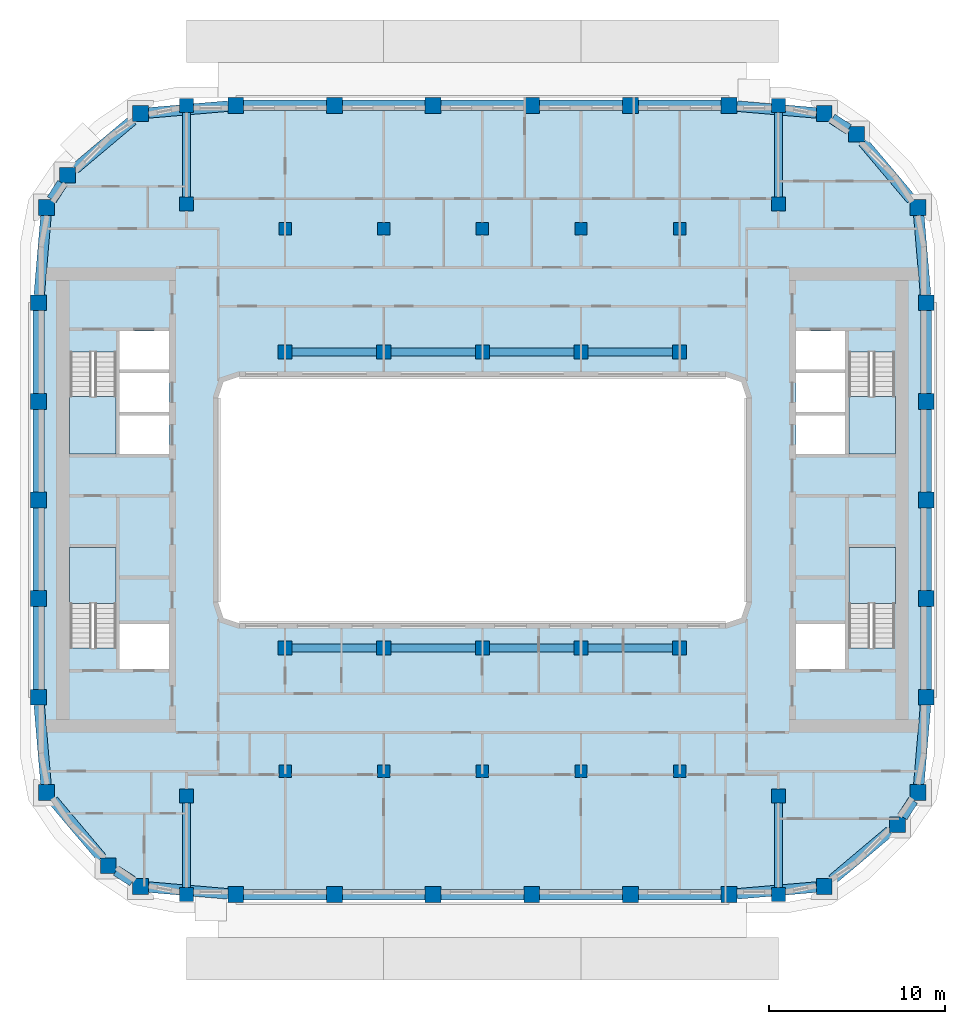
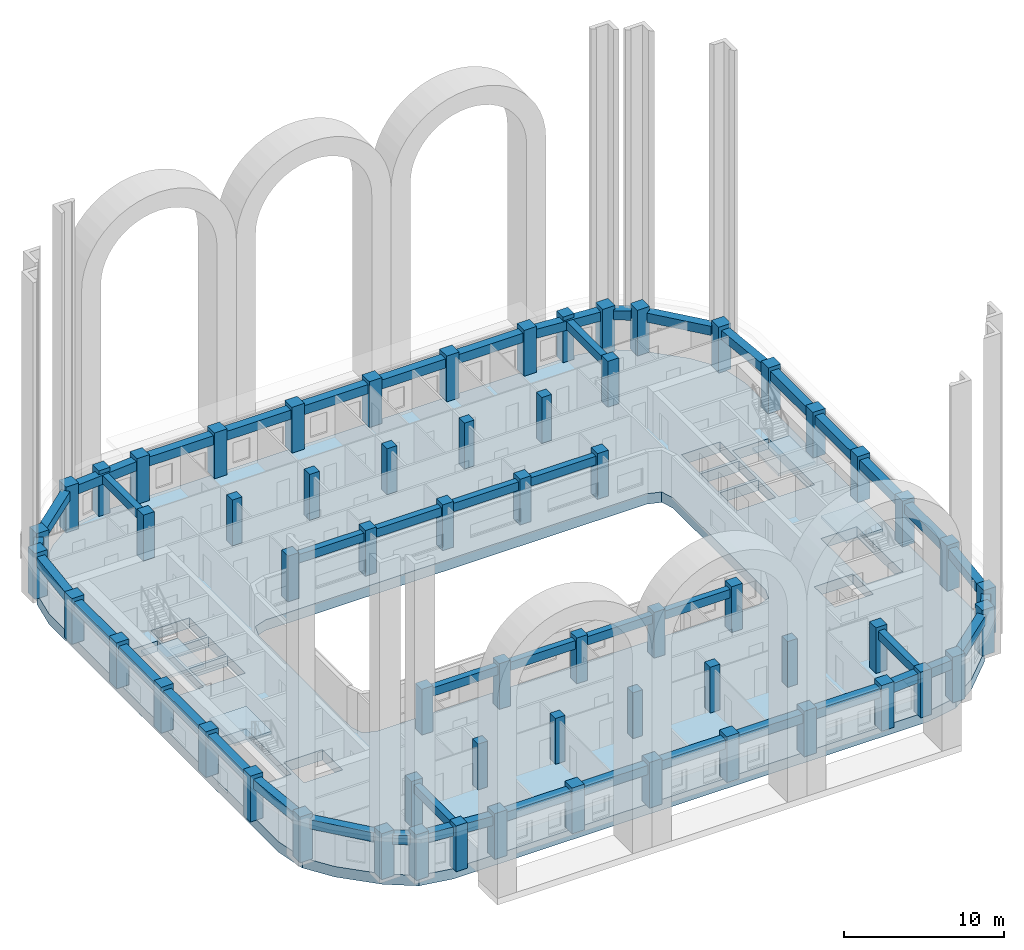
# One storey, part 1 of 20: 62 columns, 46 beams, 5 slabs, 4 elements without a shape of their own.
"""IFC4 building model written with IfcOpenShell, lengths in metres."""

from ifc_helpers import new_model, si_unit, direction, frame, origin, origin_2d, place, context, subcontext, project, spatial, polyline, rectangle, outline, extrude, material, layer, layer_set, material_profile, profile_set, type_object, element, aggregate, save


model = new_model("IFC4")

# Units and contexts
model_context = context("Model", 3, precision=1e-05, world=origin(), true_north=direction((0.0, 1.0)))
body_context = subcontext(model_context, "Body", "Model", "MODEL_VIEW")
ifc_project = project(units=[si_unit("LENGTHUNIT", "METRE"), si_unit("AREAUNIT", "SQUARE_METRE"), si_unit("VOLUMEUNIT", "CUBIC_METRE"), si_unit("PLANEANGLEUNIT", "RADIAN"), si_unit("MASSUNIT", "GRAM", prefix="KILO")], contexts=[model_context])

# Site, building, storey
site_placement = place(None, origin())
site = spatial("IfcSite", under=ifc_project, at=site_placement, CompositionType="ELEMENT")
building_placement = place(site_placement, origin())
building = spatial("IfcBuilding", under=site, at=building_placement, Name="Kiln Ring Residences", CompositionType="ELEMENT")
storey_placement = place(building_placement, frame((0.0, 0.0, 188.89990234375)))
storey = spatial("IfcBuildingStorey", under=building, at=storey_placement, Name="L48", CompositionType="ELEMENT", Elevation=188.89990234375)

# Columns
ifc_material_1 = material(Name="Concrete C70/85", Category="concrete")
ifc_material_profile_1 = material_profile(ifc_material_1, rectangle(XDim=0.699951171875, YDim=0.699951171875, at=origin_2d()), Name="RC700x700")
ifc_profile_set_1 = profile_set([ifc_material_profile_1], Name="Concrete C70/85")
column_type_1 = type_object("IfcColumnType", Name="Corridor column RC700x700 C70/85", PredefinedType="COLUMN", material=ifc_profile_set_1)
for number, where, z_axis, x_axis, name in (
    (1, (-11.199951171875, 15.39990234375, 0.0), (0.0, 0.0, 1.0), (1.0, 0.0, 0.0), "Corridor column L48 1"),
    (2, (-5.60009765625, 15.39990234375, 0.0), (0.0, 0.0, 1.0), (1.0, 0.0, 0.0), "Corridor column L48 2"),
    (3, (0.0, 15.39990234375, 0.0), (0.0, 0.0, 1.0), (1.0, 0.0, 0.0), "Corridor column L48 3"),
    (4, (5.60009765625, 15.39990234375, 0.0), (0.0, 0.0, 1.0), (1.0, 0.0, 0.0), "Corridor column L48 4"),
    (5, (11.199951171875, 15.39990234375, 0.0), (0.0, 0.0, 1.0), (1.0, 0.0, 0.0), "Corridor column L48 5"),
    (6, (-11.199951171875, -15.39990234375, 0.0), (0.0, 0.0, 1.0), (1.0, 0.0, 0.0), "Corridor column L48 6"),
    (7, (-5.60009765625, -15.39990234375, 0.0), (0.0, 0.0, 1.0), (1.0, 0.0, 0.0), "Corridor column L48 7"),
    (8, (0.0, -15.39990234375, 0.0), (0.0, 0.0, 1.0), (1.0, 0.0, 0.0), "Corridor column L48 8"),
    (9, (5.60009765625, -15.39990234375, 0.0), (0.0, 0.0, 1.0), (1.0, 0.0, 0.0), "Corridor column L48 9"),
    (10, (11.199951171875, -15.39990234375, 0.0), (0.0, 0.0, 1.0), (1.0, 0.0, 0.0), "Corridor column L48 10"),
):
    element("IfcColumn", number, at=place(storey_placement, frame(where, z_axis=z_axis, x_axis=x_axis)), inside=storey, type_object=column_type_1, Name=name, PredefinedType="COLUMN", context=body_context, shape_type="SweptSolid", body=[
        extrude(rectangle(XDim=0.699951171875, YDim=0.699951171875, at=origin_2d()), origin(), (0.0, 0.0, 1.0), 3.5),
    ])
ifc_material_2 = material(Name="Concrete C70/85", Category="concrete")
ifc_material_profile_2 = material_profile(ifc_material_2, rectangle(XDim=0.89990234375, YDim=0.89990234375, at=origin_2d()), Name="RC900x900")
ifc_profile_set_2 = profile_set([ifc_material_profile_2], Name="Concrete C70/85")
column_type_2 = type_object("IfcColumnType", Name="Perimeter column RC900x900 C70/85", PredefinedType="COLUMN", material=ifc_profile_set_2)
for number, where, z_axis, x_axis, name in (
    (11, (-19.40869140625, -21.93798828125, 0.0), (0.0, 0.0, 1.0), (1.0, 0.0, 0.0), "Perimeter column L48 1"),
    (12, (-14.0, -22.39990234375, 0.0), (0.0, 0.0, 1.0), (1.0, 0.0, 0.0), "Perimeter column L48 2"),
    (13, (-8.39990234375, -22.39990234375, 0.0), (0.0, 0.0, 1.0), (1.0, 0.0, 0.0), "Perimeter column L48 3"),
    (14, (-2.800048828125, -22.39990234375, 0.0), (0.0, 0.0, 1.0), (1.0, 0.0, 0.0), "Perimeter column L48 4"),
    (15, (2.800048828125, -22.39990234375, 0.0), (0.0, 0.0, 1.0), (1.0, 0.0, 0.0), "Perimeter column L48 5"),
    (16, (8.39990234375, -22.39990234375, 0.0), (0.0, 0.0, 1.0), (1.0, 0.0, 0.0), "Perimeter column L48 6"),
    (17, (14.0, -22.39990234375, 0.0), (0.0, 0.0, 1.0), (1.0, 0.0, 0.0), "Perimeter column L48 7"),
    (18, (19.40869140625, -21.93798828125, 0.0), (0.0, 0.0, 1.0), (1.0, 0.0, 0.0), "Perimeter column L48 8"),
    (19, (23.559814453125, -18.440185546875, 0.0), (0.0, 0.0, 1.0), (1.0, 0.0, 0.0), "Perimeter column L48 9"),
    (20, (24.738037109375, -16.608642578125, 0.0), (0.0, 0.0, 1.0), (1.0, 0.0, 0.0), "Perimeter column L48 10"),
    (21, (25.199951171875, -11.199951171875, 0.0), (0.0, 0.0, 1.0), (1.0, 0.0, 0.0), "Perimeter column L48 11"),
    (22, (25.199951171875, -5.60009765625, 0.0), (0.0, 0.0, 1.0), (1.0, 0.0, 0.0), "Perimeter column L48 12"),
    (23, (25.199951171875, 0.0, 0.0), (0.0, 0.0, 1.0), (1.0, 0.0, 0.0), "Perimeter column L48 13"),
    (24, (25.199951171875, 5.60009765625, 0.0), (0.0, 0.0, 1.0), (1.0, 0.0, 0.0), "Perimeter column L48 14"),
    (25, (25.199951171875, 11.199951171875, 0.0), (0.0, 0.0, 1.0), (1.0, 0.0, 0.0), "Perimeter column L48 15"),
    (26, (24.738037109375, 16.608642578125, 0.0), (0.0, 0.0, 1.0), (1.0, 0.0, 0.0), "Perimeter column L48 16"),
    (27, (21.240234375, 20.759765625, 0.0), (0.0, 0.0, 1.0), (1.0, 0.0, 0.0), "Perimeter column L48 17"),
    (28, (19.40869140625, 21.93798828125, 0.0), (0.0, 0.0, 1.0), (1.0, 0.0, 0.0), "Perimeter column L48 18"),
    (29, (14.0, 22.39990234375, 0.0), (0.0, 0.0, 1.0), (1.0, 0.0, 0.0), "Perimeter column L48 19"),
    (30, (8.39990234375, 22.39990234375, 0.0), (0.0, 0.0, 1.0), (1.0, 0.0, 0.0), "Perimeter column L48 20"),
    (31, (2.800048828125, 22.39990234375, 0.0), (0.0, 0.0, 1.0), (1.0, 0.0, 0.0), "Perimeter column L48 21"),
    (32, (-2.800048828125, 22.39990234375, 0.0), (0.0, 0.0, 1.0), (1.0, 0.0, 0.0), "Perimeter column L48 22"),
    (33, (-8.39990234375, 22.39990234375, 0.0), (0.0, 0.0, 1.0), (1.0, 0.0, 0.0), "Perimeter column L48 23"),
    (34, (-14.0, 22.39990234375, 0.0), (0.0, 0.0, 1.0), (1.0, 0.0, 0.0), "Perimeter column L48 24"),
    (35, (-19.40869140625, 21.93798828125, 0.0), (0.0, 0.0, 1.0), (1.0, 0.0, 0.0), "Perimeter column L48 25"),
    (36, (-23.559814453125, 18.440185546875, 0.0), (0.0, 0.0, 1.0), (1.0, 0.0, 0.0), "Perimeter column L48 26"),
    (37, (-24.738037109375, 16.608642578125, 0.0), (0.0, 0.0, 1.0), (1.0, 0.0, 0.0), "Perimeter column L48 27"),
    (38, (-25.199951171875, 11.199951171875, 0.0), (0.0, 0.0, 1.0), (1.0, 0.0, 0.0), "Perimeter column L48 28"),
    (39, (-25.199951171875, 5.60009765625, 0.0), (0.0, 0.0, 1.0), (1.0, 0.0, 0.0), "Perimeter column L48 29"),
    (40, (-25.199951171875, 0.0, 0.0), (0.0, 0.0, 1.0), (1.0, 0.0, 0.0), "Perimeter column L48 30"),
    (41, (-25.199951171875, -5.60009765625, 0.0), (0.0, 0.0, 1.0), (1.0, 0.0, 0.0), "Perimeter column L48 31"),
    (42, (-25.199951171875, -11.199951171875, 0.0), (0.0, 0.0, 1.0), (1.0, 0.0, 0.0), "Perimeter column L48 32"),
    (43, (-24.738037109375, -16.608642578125, 0.0), (0.0, 0.0, 1.0), (1.0, 0.0, 0.0), "Perimeter column L48 33"),
    (44, (-21.240234375, -20.759765625, 0.0), (0.0, 0.0, 1.0), (1.0, 0.0, 0.0), "Perimeter column L48 34"),
):
    element("IfcColumn", number, at=place(storey_placement, frame(where, z_axis=z_axis, x_axis=x_axis)), inside=storey, type_object=column_type_2, Name=name, PredefinedType="COLUMN", context=body_context, shape_type="SweptSolid", body=[
        extrude(rectangle(XDim=0.89990234375, YDim=0.89990234375, at=origin_2d()), origin(), (0.0, 0.0, 1.0), 3.5),
    ])
ifc_material_3 = material(Name="Concrete C70/85", Category="concrete")
ifc_material_profile_3 = material_profile(ifc_material_3, rectangle(XDim=0.800048828125, YDim=0.800048828125, at=origin_2d()), Name="RC800x800")
ifc_profile_set_3 = profile_set([ifc_material_profile_3], Name="Concrete C70/85")
column_type_3 = type_object("IfcColumnType", Name="Ring column RC800x800 C70/85", PredefinedType="COLUMN", material=ifc_profile_set_3)
for number, where, z_axis, x_axis, name in (
    (45, (-16.800048828125, -22.39990234375, 0.0), (0.0, 0.0, 1.0), (1.0, 0.0, 0.0), "Ring column L48 1"),
    (46, (-16.800048828125, -16.800048828125, 0.0), (0.0, 0.0, 1.0), (1.0, 0.0, 0.0), "Ring column L48 2"),
    (47, (-16.800048828125, 16.800048828125, 0.0), (0.0, 0.0, 1.0), (1.0, 0.0, 0.0), "Ring column L48 3"),
    (48, (-16.800048828125, 22.39990234375, 0.0), (0.0, 0.0, 1.0), (1.0, 0.0, 0.0), "Ring column L48 4"),
    (49, (-11.199951171875, -8.39990234375, 0.0), (0.0, 0.0, 1.0), (1.0, 0.0, 0.0), "Ring column L48 5"),
    (50, (-11.199951171875, 8.39990234375, 0.0), (0.0, 0.0, 1.0), (1.0, 0.0, 0.0), "Ring column L48 6"),
    (51, (-5.60009765625, -8.39990234375, 0.0), (0.0, 0.0, 1.0), (1.0, 0.0, 0.0), "Ring column L48 7"),
    (52, (-5.60009765625, 8.39990234375, 0.0), (0.0, 0.0, 1.0), (1.0, 0.0, 0.0), "Ring column L48 8"),
    (53, (0.0, -8.39990234375, 0.0), (0.0, 0.0, 1.0), (1.0, 0.0, 0.0), "Ring column L48 9"),
    (54, (0.0, 8.39990234375, 0.0), (0.0, 0.0, 1.0), (1.0, 0.0, 0.0), "Ring column L48 10"),
    (55, (5.60009765625, -8.39990234375, 0.0), (0.0, 0.0, 1.0), (1.0, 0.0, 0.0), "Ring column L48 11"),
    (56, (5.60009765625, 8.39990234375, 0.0), (0.0, 0.0, 1.0), (1.0, 0.0, 0.0), "Ring column L48 12"),
    (57, (11.199951171875, -8.39990234375, 0.0), (0.0, 0.0, 1.0), (1.0, 0.0, 0.0), "Ring column L48 13"),
    (58, (11.199951171875, 8.39990234375, 0.0), (0.0, 0.0, 1.0), (1.0, 0.0, 0.0), "Ring column L48 14"),
    (59, (16.800048828125, -22.39990234375, 0.0), (0.0, 0.0, 1.0), (1.0, 0.0, 0.0), "Ring column L48 15"),
    (60, (16.800048828125, -16.800048828125, 0.0), (0.0, 0.0, 1.0), (1.0, 0.0, 0.0), "Ring column L48 16"),
    (61, (16.800048828125, 16.800048828125, 0.0), (0.0, 0.0, 1.0), (1.0, 0.0, 0.0), "Ring column L48 17"),
    (62, (16.800048828125, 22.39990234375, 0.0), (0.0, 0.0, 1.0), (1.0, 0.0, 0.0), "Ring column L48 18"),
):
    element("IfcColumn", number, at=place(storey_placement, frame(where, z_axis=z_axis, x_axis=x_axis)), inside=storey, type_object=column_type_3, Name=name, PredefinedType="COLUMN", context=body_context, shape_type="SweptSolid", body=[
        extrude(rectangle(XDim=0.800048828125, YDim=0.800048828125, at=origin_2d()), origin(), (0.0, 0.0, 1.0), 3.5),
    ])

# Beams
ifc_material_4 = material(Name="Concrete C50/60", Category="concrete")
ifc_material_profile_4 = material_profile(ifc_material_4, rectangle(XDim=0.449951171875, YDim=0.64990234375, at=origin_2d()), Name="RC450x650")
ifc_profile_set_4 = profile_set([ifc_material_profile_4], Name="Concrete C50/60")
beam_type_1 = type_object("IfcBeamType", Name="Ring beam RC450x650 C50/60", PredefinedType="BEAM", material=ifc_profile_set_4)
for number, where, z_axis, x_axis, name in (
    (63, (-10.800048828125, -8.39990234375, 2.875), (1.0, 0.0, 0.0), (0.0, 1.0, 0.0), "Ring beam L48 1"),
    (64, (-5.199951171875, -8.39990234375, 2.875), (1.0, 0.0, 0.0), (0.0, 1.0, 0.0), "Ring beam L48 2"),
    (65, (0.39990234375, -8.39990234375, 2.875), (1.0, 0.0, 0.0), (0.0, 1.0, 0.0), "Ring beam L48 3"),
    (66, (6.0, -8.39990234375, 2.875), (1.0, 0.0, 0.0), (0.0, 1.0, 0.0), "Ring beam L48 4"),
    (67, (-10.800048828125, 8.39990234375, 2.875), (1.0, 0.0, 0.0), (0.0, 1.0, 0.0), "Ring beam L48 5"),
    (68, (-5.199951171875, 8.39990234375, 2.875), (1.0, 0.0, 0.0), (0.0, 1.0, 0.0), "Ring beam L48 6"),
    (69, (0.39990234375, 8.39990234375, 2.875), (1.0, 0.0, 0.0), (0.0, 1.0, 0.0), "Ring beam L48 7"),
    (70, (6.0, 8.39990234375, 2.875), (1.0, 0.0, 0.0), (0.0, 1.0, 0.0), "Ring beam L48 8"),
    (71, (-16.800048828125, -17.199951171875, 2.875), (0.0, -1.0, 0.0), (1.0, 0.0, 0.0), "Ring beam L48 9"),
    (72, (-16.800048828125, 17.199951171875, 2.875), (0.0, 1.0, 0.0), (-1.0, 0.0, 0.0), "Ring beam L48 10"),
    (73, (16.800048828125, -17.199951171875, 2.875), (0.0, -1.0, 0.0), (1.0, 0.0, 0.0), "Ring beam L48 11"),
    (74, (16.800048828125, 17.199951171875, 2.875), (0.0, 1.0, 0.0), (-1.0, 0.0, 0.0), "Ring beam L48 12"),
):
    element("IfcBeam", number, at=place(storey_placement, frame(where, z_axis=z_axis, x_axis=x_axis)), inside=storey, type_object=beam_type_1, Name=name, PredefinedType="BEAM", context=body_context, shape_type="SweptSolid", body=[
        extrude(rectangle(XDim=0.449951171875, YDim=0.64990234375, at=origin_2d()), origin(), (0.0, 0.0, 1.0), 4.800048828125),
    ])
ifc_material_5 = material(Name="Concrete C50/60", Category="concrete")
ifc_material_profile_5 = material_profile(ifc_material_5, rectangle(XDim=0.60009765625, YDim=0.699951171875, at=origin_2d()), Name="RC600x700")
ifc_profile_set_5 = profile_set([ifc_material_profile_5], Name="Concrete C50/60")
beam_type_2 = type_object("IfcBeamType", Name="Spandrel beam RC600x700 C50/60", PredefinedType="SPANDREL", material=ifc_profile_set_5)
beam_1_placement = place(storey_placement, frame((-18.958740234375, -21.9765625, 2.85009765625), z_axis=(0.996374010608, -0.085081319836, 0.0), x_axis=(0.085081319836, 0.996374010608, 0.0)))
element("IfcBeam", 75, at=beam_1_placement, inside=storey, type_object=beam_type_2, Name="Spandrel beam L48 1", PredefinedType="SPANDREL", context=body_context, shape_type="SweptSolid", body=[
    extrude(rectangle(XDim=0.60009765625, YDim=0.699951171875, at=origin_2d()), origin(), (0.0, 0.0, 1.0), 4.525146484375),
])
for number, where, z_axis, x_axis, name in (
    (76, (-13.550048828125, -22.39990234375, 2.85009765625), (1.0, 0.0, 0.0), (0.0, 1.0, 0.0), "Spandrel beam L48 2"),
    (77, (-7.949951171875, -22.39990234375, 2.85009765625), (1.0, 0.0, 0.0), (0.0, 1.0, 0.0), "Spandrel beam L48 3"),
):
    element("IfcBeam", number, at=place(storey_placement, frame(where, z_axis=z_axis, x_axis=x_axis)), inside=storey, type_object=beam_type_2, Name=name, PredefinedType="SPANDREL", context=body_context, shape_type="SweptSolid", body=[
        extrude(rectangle(XDim=0.60009765625, YDim=0.699951171875, at=origin_2d()), origin(), (0.0, 0.0, 1.0), 4.699951171875),
    ])
beam_2_placement = place(storey_placement, frame((-2.35009765625, -22.39990234375, 2.85009765625), z_axis=(1.0, 0.0, 0.0), x_axis=(0.0, 1.0, 0.0)))
element("IfcBeam", 78, at=beam_2_placement, inside=storey, type_object=beam_type_2, Name="Spandrel beam L48 4", PredefinedType="SPANDREL", context=body_context, shape_type="SweptSolid", body=[
    extrude(rectangle(XDim=0.60009765625, YDim=0.699951171875, at=origin_2d()), origin(), (0.0, 0.0, 1.0), 4.7001953125),
])
for number, where, z_axis, x_axis, name in (
    (79, (3.25, -22.39990234375, 2.85009765625), (1.0, 0.0, 0.0), (0.0, 1.0, 0.0), "Spandrel beam L48 5"),
    (80, (8.85009765625, -22.39990234375, 2.85009765625), (1.0, 0.0, 0.0), (0.0, 1.0, 0.0), "Spandrel beam L48 6"),
):
    element("IfcBeam", number, at=place(storey_placement, frame(where, z_axis=z_axis, x_axis=x_axis)), inside=storey, type_object=beam_type_2, Name=name, PredefinedType="SPANDREL", context=body_context, shape_type="SweptSolid", body=[
        extrude(rectangle(XDim=0.60009765625, YDim=0.699951171875, at=origin_2d()), origin(), (0.0, 0.0, 1.0), 4.699951171875),
    ])
beam_3_placement = place(storey_placement, frame((14.449951171875, -22.361572265625, 2.85009765625), z_axis=(0.996374010608, 0.085081319836, 0.0), x_axis=(-0.085081319836, 0.996374010608, 0.0)))
element("IfcBeam", 81, at=beam_3_placement, inside=storey, type_object=beam_type_2, Name="Spandrel beam L48 7", PredefinedType="SPANDREL", context=body_context, shape_type="SweptSolid", body=[
    extrude(rectangle(XDim=0.60009765625, YDim=0.699951171875, at=origin_2d()), origin(), (0.0, 0.0, 1.0), 4.525146484375),
])
beam_4_placement = place(storey_placement, frame((19.858642578125, -21.558837890625, 2.85009765625), z_axis=(0.764722045893, 0.644360297136, 0.0), x_axis=(-0.644360297136, 0.764722045893, 0.0)))
element("IfcBeam", 82, at=beam_4_placement, inside=storey, type_object=beam_type_2, Name="Spandrel beam L48 8", PredefinedType="SPANDREL", context=body_context, shape_type="SweptSolid", body=[
    extrude(rectangle(XDim=0.60009765625, YDim=0.699951171875, at=origin_2d()), origin(), (0.0, 0.0, 1.0), 4.25146484375),
])
beam_5_placement = place(storey_placement, frame((23.849365234375, -17.990234375, 2.85009765625), z_axis=(0.540891264019, 0.841092527911, 0.0), x_axis=(-0.841092527911, 0.540891264019, 0.0)))
element("IfcBeam", 83, at=beam_5_placement, inside=storey, type_object=beam_type_2, Name="Spandrel beam L48 9", PredefinedType="SPANDREL", context=body_context, shape_type="SweptSolid", body=[
    extrude(rectangle(XDim=0.60009765625, YDim=0.699951171875, at=origin_2d()), origin(), (0.0, 0.0, 1.0), 1.107666015625),
])
beam_6_placement = place(storey_placement, frame((24.776611328125, -16.15869140625, 2.85009765625), z_axis=(0.085081319836, 0.996374010608, 0.0), x_axis=(-0.996374010608, 0.085081319836, 0.0)))
element("IfcBeam", 84, at=beam_6_placement, inside=storey, type_object=beam_type_2, Name="Spandrel beam L48 10", PredefinedType="SPANDREL", context=body_context, shape_type="SweptSolid", body=[
    extrude(rectangle(XDim=0.60009765625, YDim=0.699951171875, at=origin_2d()), origin(), (0.0, 0.0, 1.0), 4.525146484375),
])
for number, where, z_axis, x_axis, name in (
    (85, (25.199951171875, -10.75, 2.85009765625), (0.0, 1.0, 0.0), (-1.0, 0.0, 0.0), "Spandrel beam L48 11"),
    (86, (25.199951171875, -5.14990234375, 2.85009765625), (0.0, 1.0, 0.0), (-1.0, 0.0, 0.0), "Spandrel beam L48 12"),
    (87, (25.199951171875, 0.449951171875, 2.85009765625), (0.0, 1.0, 0.0), (-1.0, 0.0, 0.0), "Spandrel beam L48 13"),
    (88, (25.199951171875, 6.050048828125, 2.85009765625), (0.0, 1.0, 0.0), (-1.0, 0.0, 0.0), "Spandrel beam L48 14"),
):
    element("IfcBeam", number, at=place(storey_placement, frame(where, z_axis=z_axis, x_axis=x_axis)), inside=storey, type_object=beam_type_2, Name=name, PredefinedType="SPANDREL", context=body_context, shape_type="SweptSolid", body=[
        extrude(rectangle(XDim=0.60009765625, YDim=0.699951171875, at=origin_2d()), origin(), (0.0, 0.0, 1.0), 4.699951171875),
    ])
beam_7_placement = place(storey_placement, frame((25.16162109375, 11.64990234375, 2.85009765625), z_axis=(-0.085081319836, 0.996374010608, 0.0), x_axis=(-0.996374010608, -0.085081319836, 0.0)))
element("IfcBeam", 89, at=beam_7_placement, inside=storey, type_object=beam_type_2, Name="Spandrel beam L48 15", PredefinedType="SPANDREL", context=body_context, shape_type="SweptSolid", body=[
    extrude(rectangle(XDim=0.60009765625, YDim=0.699951171875, at=origin_2d()), origin(), (0.0, 0.0, 1.0), 4.525146484375),
])
beam_8_placement = place(storey_placement, frame((24.35888671875, 17.05859375, 2.85009765625), z_axis=(-0.644360297136, 0.764722045893, 0.0), x_axis=(-0.764722045893, -0.644360297136, 0.0)))
element("IfcBeam", 90, at=beam_8_placement, inside=storey, type_object=beam_type_2, Name="Spandrel beam L48 16", PredefinedType="SPANDREL", context=body_context, shape_type="SweptSolid", body=[
    extrude(rectangle(XDim=0.60009765625, YDim=0.699951171875, at=origin_2d()), origin(), (0.0, 0.0, 1.0), 4.25146484375),
])
beam_9_placement = place(storey_placement, frame((20.790283203125, 21.04931640625, 2.85009765625), z_axis=(-0.840992251229, 0.541047163723, 0.0), x_axis=(-0.541047163723, -0.840992251229, 0.0)))
element("IfcBeam", 91, at=beam_9_placement, inside=storey, type_object=beam_type_2, Name="Spandrel beam L48 17", PredefinedType="SPANDREL", context=body_context, shape_type="SweptSolid", body=[
    extrude(rectangle(XDim=0.60009765625, YDim=0.699951171875, at=origin_2d()), origin(), (0.0, 0.0, 1.0), 1.107666015625),
])
beam_10_placement = place(storey_placement, frame((18.958740234375, 21.9765625, 2.85009765625), z_axis=(-0.996374010608, 0.085081319836, 0.0), x_axis=(-0.085081319836, -0.996374010608, 0.0)))
element("IfcBeam", 92, at=beam_10_placement, inside=storey, type_object=beam_type_2, Name="Spandrel beam L48 18", PredefinedType="SPANDREL", context=body_context, shape_type="SweptSolid", body=[
    extrude(rectangle(XDim=0.60009765625, YDim=0.699951171875, at=origin_2d()), origin(), (0.0, 0.0, 1.0), 4.525146484375),
])
for number, where, z_axis, x_axis, name in (
    (93, (13.550048828125, 22.39990234375, 2.85009765625), (-1.0, 0.0, 0.0), (0.0, -1.0, 0.0), "Spandrel beam L48 19"),
    (94, (7.949951171875, 22.39990234375, 2.85009765625), (-1.0, 0.0, 0.0), (0.0, -1.0, 0.0), "Spandrel beam L48 20"),
):
    element("IfcBeam", number, at=place(storey_placement, frame(where, z_axis=z_axis, x_axis=x_axis)), inside=storey, type_object=beam_type_2, Name=name, PredefinedType="SPANDREL", context=body_context, shape_type="SweptSolid", body=[
        extrude(rectangle(XDim=0.60009765625, YDim=0.699951171875, at=origin_2d()), origin(), (0.0, 0.0, 1.0), 4.699951171875),
    ])
beam_11_placement = place(storey_placement, frame((2.35009765625, 22.39990234375, 2.85009765625), z_axis=(-1.0, 0.0, 0.0), x_axis=(0.0, -1.0, 0.0)))
element("IfcBeam", 95, at=beam_11_placement, inside=storey, type_object=beam_type_2, Name="Spandrel beam L48 21", PredefinedType="SPANDREL", context=body_context, shape_type="SweptSolid", body=[
    extrude(rectangle(XDim=0.60009765625, YDim=0.699951171875, at=origin_2d()), origin(), (0.0, 0.0, 1.0), 4.7001953125),
])
for number, where, z_axis, x_axis, name in (
    (96, (-3.25, 22.39990234375, 2.85009765625), (-1.0, 0.0, 0.0), (0.0, -1.0, 0.0), "Spandrel beam L48 22"),
    (97, (-8.85009765625, 22.39990234375, 2.85009765625), (-1.0, 0.0, 0.0), (0.0, -1.0, 0.0), "Spandrel beam L48 23"),
):
    element("IfcBeam", number, at=place(storey_placement, frame(where, z_axis=z_axis, x_axis=x_axis)), inside=storey, type_object=beam_type_2, Name=name, PredefinedType="SPANDREL", context=body_context, shape_type="SweptSolid", body=[
        extrude(rectangle(XDim=0.60009765625, YDim=0.699951171875, at=origin_2d()), origin(), (0.0, 0.0, 1.0), 4.699951171875),
    ])
beam_12_placement = place(storey_placement, frame((-14.449951171875, 22.361572265625, 2.85009765625), z_axis=(-0.996374010608, -0.085081319836, 0.0), x_axis=(0.085081319836, -0.996374010608, 0.0)))
element("IfcBeam", 98, at=beam_12_placement, inside=storey, type_object=beam_type_2, Name="Spandrel beam L48 24", PredefinedType="SPANDREL", context=body_context, shape_type="SweptSolid", body=[
    extrude(rectangle(XDim=0.60009765625, YDim=0.699951171875, at=origin_2d()), origin(), (0.0, 0.0, 1.0), 4.525146484375),
])
beam_13_placement = place(storey_placement, frame((-19.858642578125, 21.558837890625, 2.85009765625), z_axis=(-0.764722045893, -0.644360297136, 0.0), x_axis=(0.644360297136, -0.764722045893, 0.0)))
element("IfcBeam", 99, at=beam_13_placement, inside=storey, type_object=beam_type_2, Name="Spandrel beam L48 25", PredefinedType="SPANDREL", context=body_context, shape_type="SweptSolid", body=[
    extrude(rectangle(XDim=0.60009765625, YDim=0.699951171875, at=origin_2d()), origin(), (0.0, 0.0, 1.0), 4.25146484375),
])
beam_14_placement = place(storey_placement, frame((-23.849365234375, 17.990234375, 2.85009765625), z_axis=(-0.540891264019, -0.841092527911, 0.0), x_axis=(0.841092527911, -0.540891264019, 0.0)))
element("IfcBeam", 100, at=beam_14_placement, inside=storey, type_object=beam_type_2, Name="Spandrel beam L48 26", PredefinedType="SPANDREL", context=body_context, shape_type="SweptSolid", body=[
    extrude(rectangle(XDim=0.60009765625, YDim=0.699951171875, at=origin_2d()), origin(), (0.0, 0.0, 1.0), 1.107666015625),
])
beam_15_placement = place(storey_placement, frame((-24.776611328125, 16.15869140625, 2.85009765625), z_axis=(-0.085081319836, -0.996374010608, 0.0), x_axis=(0.996374010608, -0.085081319836, 0.0)))
element("IfcBeam", 101, at=beam_15_placement, inside=storey, type_object=beam_type_2, Name="Spandrel beam L48 27", PredefinedType="SPANDREL", context=body_context, shape_type="SweptSolid", body=[
    extrude(rectangle(XDim=0.60009765625, YDim=0.699951171875, at=origin_2d()), origin(), (0.0, 0.0, 1.0), 4.525146484375),
])
for number, where, z_axis, x_axis, name in (
    (102, (-25.199951171875, 10.75, 2.85009765625), (0.0, -1.0, 0.0), (1.0, 0.0, 0.0), "Spandrel beam L48 28"),
    (103, (-25.199951171875, 5.14990234375, 2.85009765625), (0.0, -1.0, 0.0), (1.0, 0.0, 0.0), "Spandrel beam L48 29"),
    (104, (-25.199951171875, -0.449951171875, 2.85009765625), (0.0, -1.0, 0.0), (1.0, 0.0, 0.0), "Spandrel beam L48 30"),
    (105, (-25.199951171875, -6.050048828125, 2.85009765625), (0.0, -1.0, 0.0), (1.0, 0.0, 0.0), "Spandrel beam L48 31"),
):
    element("IfcBeam", number, at=place(storey_placement, frame(where, z_axis=z_axis, x_axis=x_axis)), inside=storey, type_object=beam_type_2, Name=name, PredefinedType="SPANDREL", context=body_context, shape_type="SweptSolid", body=[
        extrude(rectangle(XDim=0.60009765625, YDim=0.699951171875, at=origin_2d()), origin(), (0.0, 0.0, 1.0), 4.699951171875),
    ])
beam_16_placement = place(storey_placement, frame((-25.16162109375, -11.64990234375, 2.85009765625), z_axis=(0.085081319836, -0.996374010608, 0.0), x_axis=(0.996374010608, 0.085081319836, 0.0)))
element("IfcBeam", 106, at=beam_16_placement, inside=storey, type_object=beam_type_2, Name="Spandrel beam L48 32", PredefinedType="SPANDREL", context=body_context, shape_type="SweptSolid", body=[
    extrude(rectangle(XDim=0.60009765625, YDim=0.699951171875, at=origin_2d()), origin(), (0.0, 0.0, 1.0), 4.525146484375),
])
beam_17_placement = place(storey_placement, frame((-24.35888671875, -17.05859375, 2.85009765625), z_axis=(0.644360297136, -0.764722045893, 0.0), x_axis=(0.764722045893, 0.644360297136, 0.0)))
element("IfcBeam", 107, at=beam_17_placement, inside=storey, type_object=beam_type_2, Name="Spandrel beam L48 33", PredefinedType="SPANDREL", context=body_context, shape_type="SweptSolid", body=[
    extrude(rectangle(XDim=0.60009765625, YDim=0.699951171875, at=origin_2d()), origin(), (0.0, 0.0, 1.0), 4.25146484375),
])
beam_18_placement = place(storey_placement, frame((-20.790283203125, -21.04931640625, 2.85009765625), z_axis=(0.840992251229, -0.541047163723, 0.0), x_axis=(0.541047163723, 0.840992251229, 0.0)))
element("IfcBeam", 108, at=beam_18_placement, inside=storey, type_object=beam_type_2, Name="Spandrel beam L48 34", PredefinedType="SPANDREL", context=body_context, shape_type="SweptSolid", body=[
    extrude(rectangle(XDim=0.60009765625, YDim=0.699951171875, at=origin_2d()), origin(), (0.0, 0.0, 1.0), 1.107666015625),
])

# Stair, slab
ifc_material_6 = material(Name="Concrete C40/50", Category="concrete")
stair_type = type_object("IfcStairType", Name="CORE-STAIR", PredefinedType="HALF_TURN_STAIR", material=ifc_material_6)
placement_1 = place(storey_placement, origin())
stair_1 = element("IfcStair", 109, at=placement_1, inside=storey, type_object=stair_type, Name="L48 stair W-STN", PredefinedType="HALF_TURN_STAIR")
ifc_material_7 = material(Name="Concrete C40/50", Category="concrete")
ifc_layer_1 = layer(ifc_material_7, 0.199951171875)
ifc_layer_set_1 = layer_set([ifc_layer_1], Name="CORE-STAIR-LANDING")
slab_type_1 = type_object("IfcSlabType", Name="CORE-STAIR-LANDING", PredefinedType="LANDING", material=ifc_layer_set_1)
placement_2 = place(storey_placement, frame((0.0, 0.0, 1.550048828125)))
slab_1 = element("IfcSlab", 110, at=placement_2, type_object=slab_type_1, Name="W-STN landing 1", PredefinedType="LANDING", context=body_context, shape_type="SweptSolid", body=[
    extrude(outline(polyline([(-23.449951171875, 5.8798828125), (-23.449951171875, 2.60009765625), (-20.800048828125, 2.60009765625), (-20.800048828125, 5.8798828125), (-23.449951171875, 5.8798828125)])), origin(), (0.0, 0.0, 1.0), 0.199951171875),
])
aggregate(stair_1, [slab_1])

stair_2 = element("IfcStair", 111, at=placement_1, inside=storey, type_object=stair_type, Name="L48 stair W-STS", PredefinedType="HALF_TURN_STAIR")
slab_2 = element("IfcSlab", 112, at=placement_2, type_object=slab_type_1, Name="W-STS landing 1", PredefinedType="LANDING", context=body_context, shape_type="SweptSolid", body=[
    extrude(outline(polyline([(-20.800048828125, -5.8798828125), (-20.800048828125, -2.699951171875), (-23.449951171875, -2.699951171875), (-23.449951171875, -5.8798828125), (-20.800048828125, -5.8798828125)])), origin(), (0.0, 0.0, 1.0), 0.199951171875),
])
aggregate(stair_2, [slab_2])

stair_3 = element("IfcStair", 113, at=placement_1, inside=storey, type_object=stair_type, Name="L48 stair E-STN", PredefinedType="HALF_TURN_STAIR")
slab_3 = element("IfcSlab", 114, at=placement_2, type_object=slab_type_1, Name="E-STN landing 1", PredefinedType="LANDING", context=body_context, shape_type="SweptSolid", body=[
    extrude(outline(polyline([(20.800048828125, 5.8798828125), (20.800048828125, 2.60009765625), (23.449951171875, 2.60009765625), (23.449951171875, 5.8798828125), (20.800048828125, 5.8798828125)])), origin(), (0.0, 0.0, 1.0), 0.199951171875),
])
aggregate(stair_3, [slab_3])

stair_4 = element("IfcStair", 115, at=placement_1, inside=storey, type_object=stair_type, Name="L48 stair E-STS", PredefinedType="HALF_TURN_STAIR")
slab_4 = element("IfcSlab", 116, at=placement_2, type_object=slab_type_1, Name="E-STS landing 1", PredefinedType="LANDING", context=body_context, shape_type="SweptSolid", body=[
    extrude(outline(polyline([(23.449951171875, -5.8798828125), (23.449951171875, -2.699951171875), (20.800048828125, -2.699951171875), (20.800048828125, -5.8798828125), (23.449951171875, -5.8798828125)])), origin(), (0.0, 0.0, 1.0), 0.199951171875),
])
aggregate(stair_4, [slab_4])

# Slab
ifc_material_8 = material(Name="Concrete C40/50", Category="concrete")
ifc_layer_2 = layer(ifc_material_8, 0.800048828125)
ifc_layer_set_2 = layer_set([ifc_layer_2], Name="Transfer slab 800")
slab_type_2 = type_object("IfcSlabType", Name="Transfer slab 800", PredefinedType="FLOOR", material=ifc_layer_set_2)
slab_5_placement = place(storey_placement, frame((0.0, 0.0, -0.7998046875)))
element("IfcSlab", 117, at=slab_5_placement, inside=storey, type_object=slab_type_2, Name="Transfer slab L48 1", PredefinedType="FLOOR", context=body_context, shape_type="SweptSolid", body=[
    extrude(outline(polyline([(-23.5029296875, -18.4970703125), (-21.297119140625, -20.702880859375), (-19.42431640625, -21.975830078125), (-17.199951171875, -22.39990234375), (17.199951171875, -22.39990234375), (19.42431640625, -21.975830078125), (21.297119140625, -20.702880859375), (23.5029296875, -18.4970703125), (24.775634765625, -16.624267578125), (25.199951171875, -14.39990234375), (25.199951171875, 14.39990234375), (24.775634765625, 16.624267578125), (23.5029296875, 18.4970703125), (21.297119140625, 20.702880859375), (19.42431640625, 21.975830078125), (17.199951171875, 22.39990234375), (-17.199951171875, 22.39990234375), (-19.42431640625, 21.975830078125), (-21.297119140625, 20.702880859375), (-23.5029296875, 18.4970703125), (-24.775634765625, 16.624267578125), (-25.199951171875, 14.39990234375), (-25.199951171875, -14.39990234375), (-24.775634765625, -16.624267578125), (-23.5029296875, -18.4970703125)]), holes=[polyline([(-14.699951171875, -6.699951171875), (-15.0, -5.800048828125), (-15.0, 5.800048828125), (-14.699951171875, 6.699951171875), (-13.800048828125, 7.0), (13.800048828125, 7.0), (14.699951171875, 6.699951171875), (15.0, 5.800048828125), (15.0, -5.800048828125), (14.699951171875, -6.699951171875), (13.800048828125, -7.0), (-13.800048828125, -7.0), (-14.699951171875, -6.699951171875)]), polyline([(20.800048828125, -8.39794921875), (20.800048828125, -2.699951171875), (23.39990234375, -2.699951171875), (23.39990234375, -8.39794921875), (20.800048828125, -8.39794921875)]), polyline([(23.39990234375, 2.60009765625), (20.800048828125, 2.60009765625), (20.800048828125, 8.39794921875), (23.39990234375, 8.39794921875), (23.39990234375, 2.60009765625)]), polyline([(17.800048828125, 2.60009765625), (17.800048828125, 4.800048828125), (20.60009765625, 4.800048828125), (20.60009765625, 2.60009765625), (17.800048828125, 2.60009765625)]), polyline([(17.800048828125, 5.0), (17.800048828125, 7.199951171875), (20.60009765625, 7.199951171875), (20.60009765625, 5.0), (17.800048828125, 5.0)]), polyline([(17.800048828125, 7.39990234375), (17.800048828125, 9.60009765625), (20.60009765625, 9.60009765625), (20.60009765625, 7.39990234375), (17.800048828125, 7.39990234375)]), polyline([(20.60009765625, -9.60009765625), (17.800048828125, -9.60009765625), (17.800048828125, -7.050048828125), (20.60009765625, -7.050048828125), (20.60009765625, -9.60009765625)]), polyline([(-17.800048828125, -7.050048828125), (-17.800048828125, -9.60009765625), (-20.60009765625, -9.60009765625), (-20.60009765625, -7.050048828125), (-17.800048828125, -7.050048828125)]), polyline([(-17.800048828125, 2.60009765625), (-20.60009765625, 2.60009765625), (-20.60009765625, 4.800048828125), (-17.800048828125, 4.800048828125), (-17.800048828125, 2.60009765625)]), polyline([(-17.800048828125, 5.0), (-20.60009765625, 5.0), (-20.60009765625, 7.199951171875), (-17.800048828125, 7.199951171875), (-17.800048828125, 5.0)]), polyline([(-17.800048828125, 7.39990234375), (-20.60009765625, 7.39990234375), (-20.60009765625, 9.60009765625), (-17.800048828125, 9.60009765625), (-17.800048828125, 7.39990234375)]), polyline([(-20.800048828125, -8.39794921875), (-23.39990234375, -8.39794921875), (-23.39990234375, -2.699951171875), (-20.800048828125, -2.699951171875), (-20.800048828125, -8.39794921875)]), polyline([(-20.800048828125, 8.39794921875), (-20.800048828125, 2.60009765625), (-23.39990234375, 2.60009765625), (-23.39990234375, 8.39794921875), (-20.800048828125, 8.39794921875)])]), origin(), (0.0, 0.0, 1.0), 0.7998046875),
])

save(model, "model.ifc")
